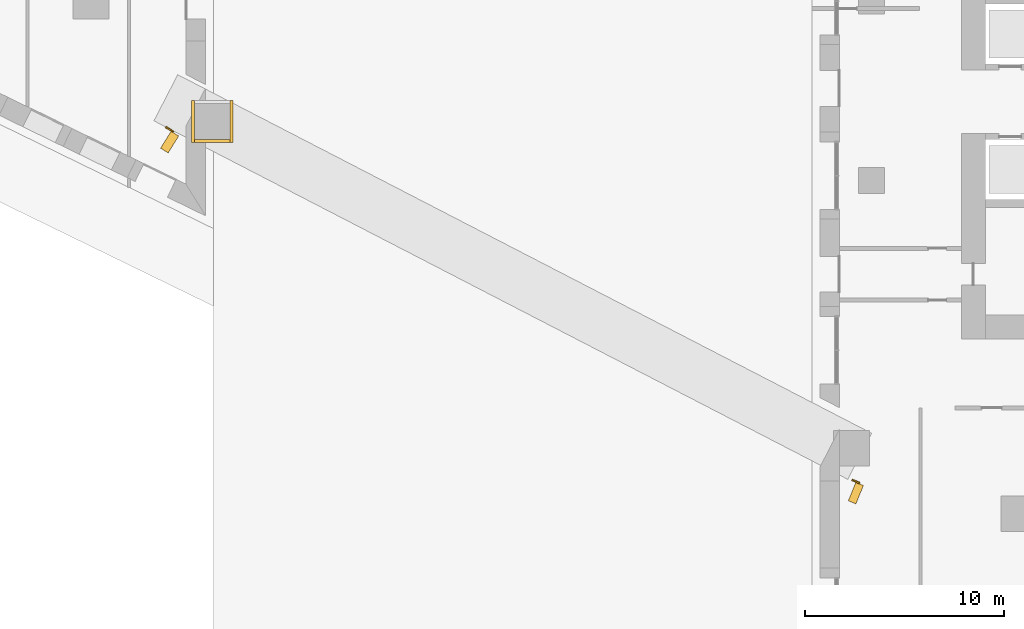
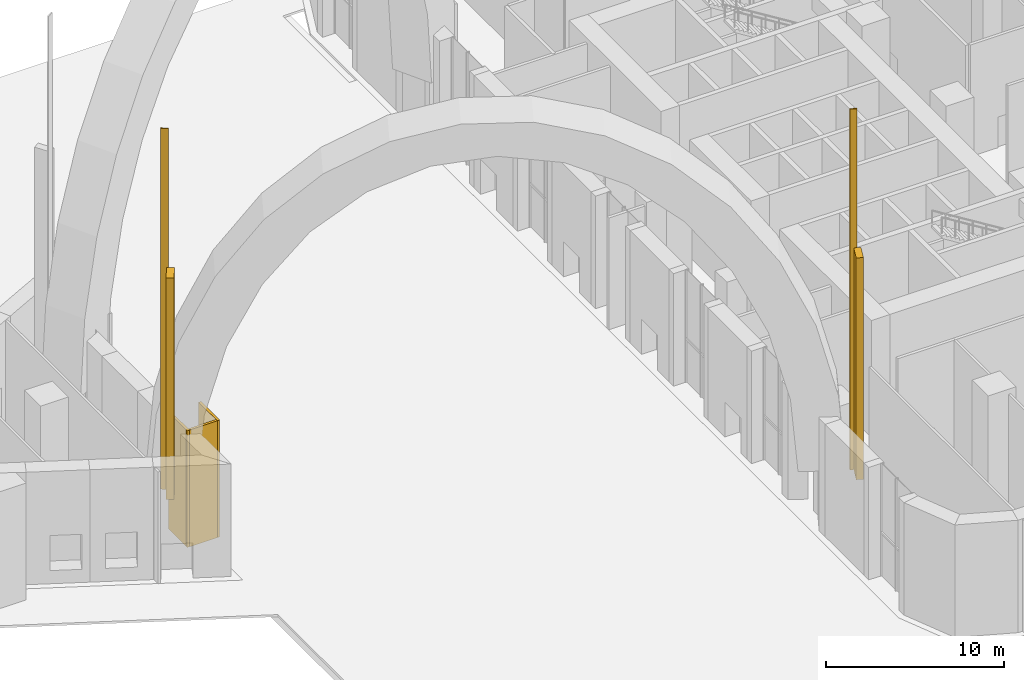
# One storey, part 15 of 22: 7 coverings.
"""IFC4 building model written with IfcOpenShell, lengths in metres."""

from ifc_helpers import new_model, si_unit, direction, frame, frame_2d, origin, place, context, subcontext, project, spatial, rectangle, extrude, material, layer, layer_set, type_object, element, save


model = new_model("IFC4")

# Units and contexts
model_context = context("Model", 3, precision=1e-05, world=origin(), true_north=direction((0.0, 1.0)))
body_context = subcontext(model_context, "Body", "Model", "MODEL_VIEW")
ifc_project = project(units=[si_unit("LENGTHUNIT", "METRE"), si_unit("AREAUNIT", "SQUARE_METRE"), si_unit("VOLUMEUNIT", "CUBIC_METRE"), si_unit("PLANEANGLEUNIT", "RADIAN"), si_unit("MASSUNIT", "GRAM", prefix="KILO")], contexts=[model_context])

# Site, building, storey
site_placement = place(None, origin())
site = spatial("IfcSite", under=ifc_project, at=site_placement, CompositionType="ELEMENT")
building_placement = place(site_placement, origin())
building = spatial("IfcBuilding", under=site, at=building_placement, Name="Ostrand Prow Hotel Tower", CompositionType="ELEMENT")
storey_placement = place(building_placement, origin())
storey = spatial("IfcBuildingStorey", under=building, at=storey_placement, Name="L00", CompositionType="ELEMENT", Elevation=0.0)

# Coverings
ifc_material_1 = material(Name="Dark bronze anodised aluminium lining", Category="aluminium")
ifc_layer_1 = layer(ifc_material_1, 0.080078125)
ifc_layer_set_1 = layer_set([ifc_layer_1], Name="Dark bronze anodised aluminium lining")
covering_type_1 = type_object("IfcCoveringType", Name="Arch spandrel limestone cladding 80 mm", PredefinedType="CLADDING", material=ifc_layer_set_1)
covering_1_placement = place(storey_placement, frame((9.60009765625, -6.315185546875, 4.0), z_axis=(0.0, 0.0, 1.0), x_axis=(0.847784106187, -0.530341502522, 0.0)))
element("IfcCovering", 1, at=covering_1_placement, inside=storey, type_object=covering_type_1, Name="Arch spandrel cladding S 1", PredefinedType="CLADDING", context=body_context, shape_type="SweptSolid", body=[
    extrude(rectangle(XDim=0.448486328125, YDim=0.080078125, at=frame_2d((0.22412109375, 0.0))), origin(), (0.0, 0.0, 1.0), 24.699951171875),
])
covering_2_placement = place(storey_placement, frame((44.019775390625, -24.0166015625, 4.0), z_axis=(0.0, 0.0, 1.0), x_axis=(0.925329067547, -0.379165025751, 0.0)))
element("IfcCovering", 2, at=covering_2_placement, inside=storey, type_object=covering_type_1, Name="Arch spandrel cladding S 15", PredefinedType="CLADDING", context=body_context, shape_type="SweptSolid", body=[
    extrude(rectangle(XDim=0.410888671875, YDim=0.080078125, at=frame_2d((0.20556640625, 0.0))), origin(), (0.0, 0.0, 1.0), 24.699951171875),
])
ifc_material_2 = material(Name="Limestone cladding", Category="masonry")
ifc_layer_2 = layer(ifc_material_2, 0.14990234375)
ifc_layer_set_2 = layer_set([ifc_layer_2], Name="Limestone cladding")
covering_type_2 = type_object("IfcCoveringType", Name="Column stone sleeve 150 mm", PredefinedType="CLADDING", material=ifc_layer_set_2)
covering_3_placement = place(storey_placement, frame((10.87646484375, -7.01708984375, 0.0), z_axis=(0.0, 0.0, 1.0), x_axis=(1.0, 0.0, 0.0)))
element("IfcCovering", 3, at=covering_3_placement, inside=storey, type_object=covering_type_2, Name="Column stone sleeve MC-S1 1", PredefinedType="CLADDING", context=body_context, shape_type="SweptSolid", body=[
    extrude(rectangle(XDim=2.099853515625, YDim=0.14990234375, at=frame_2d((1.0498046875, 0.0))), origin(), (0.0, 0.0, 1.0), 8.0),
])
for number, where, z_axis, x_axis, name in (
    (4, (12.9013671875, -7.092041015625, 0.0), (0.0, 0.0, 1.0), (0.0, 1.0, 0.0), "Column stone sleeve MC-S1 2"),
    (5, (10.951416015625, -4.991943359375, 0.0), (0.0, 0.0, 1.0), (0.0, -1.0, 0.0), "Column stone sleeve MC-S1 4"),
):
    element("IfcCovering", number, at=place(storey_placement, frame(where, z_axis=z_axis, x_axis=x_axis)), inside=storey, type_object=covering_type_2, Name=name, PredefinedType="CLADDING", context=body_context, shape_type="SweptSolid", body=[
        extrude(rectangle(XDim=2.10009765625, YDim=0.14990234375, at=frame_2d((1.050048828125, 0.0))), origin(), (0.0, 0.0, 1.0), 8.0),
    ])
ifc_material_3 = material(Name="Limestone cladding", Category="masonry")
ifc_layer_3 = layer(ifc_material_3, 1.0)
ifc_layer_set_3 = layer_set([ifc_layer_3], Name="Limestone cladding")
covering_type_3 = type_object("IfcCoveringType", Name="Portal frame limestone 1000 mm", PredefinedType="CLADDING", material=ifc_layer_set_3)
covering_4_placement = place(storey_placement, frame((9.60009765625, -6.952392578125, 4.0), z_axis=(0.0, 0.0, 1.0), x_axis=(0.848518372121, -0.529165921213, 0.0)))
element("IfcCovering", 6, at=covering_4_placement, inside=storey, type_object=covering_type_3, Name="Portal frame S 1", PredefinedType="CLADDING", context=body_context, shape_type="SweptSolid", body=[
    extrude(rectangle(XDim=0.447998046875, YDim=1.0, at=frame_2d((0.22412109375, 0.0))), origin(), (0.0, 0.0, 1.0), 15.1884765625),
])
covering_5_placement = place(storey_placement, frame((44.019775390625, -24.60009765625, 4.0), z_axis=(0.0, 0.0, 1.0), x_axis=(0.925537487018, -0.378655991799, 0.0)))
element("IfcCovering", 7, at=covering_5_placement, inside=storey, type_object=covering_type_3, Name="Portal frame S 15", PredefinedType="CLADDING", context=body_context, shape_type="SweptSolid", body=[
    extrude(rectangle(XDim=0.41064453125, YDim=1.0, at=frame_2d((0.205322265625, 0.0))), origin(), (0.0, 0.0, 1.0), 15.1884765625),
])

save(model, "model.ifc")
